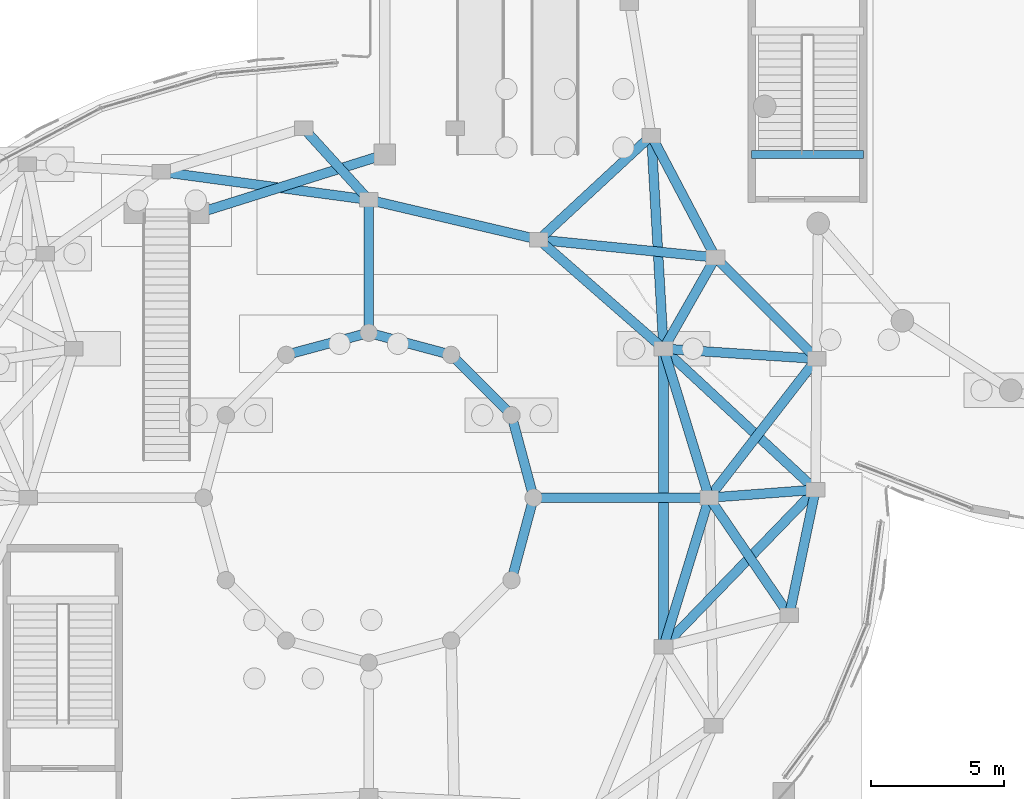
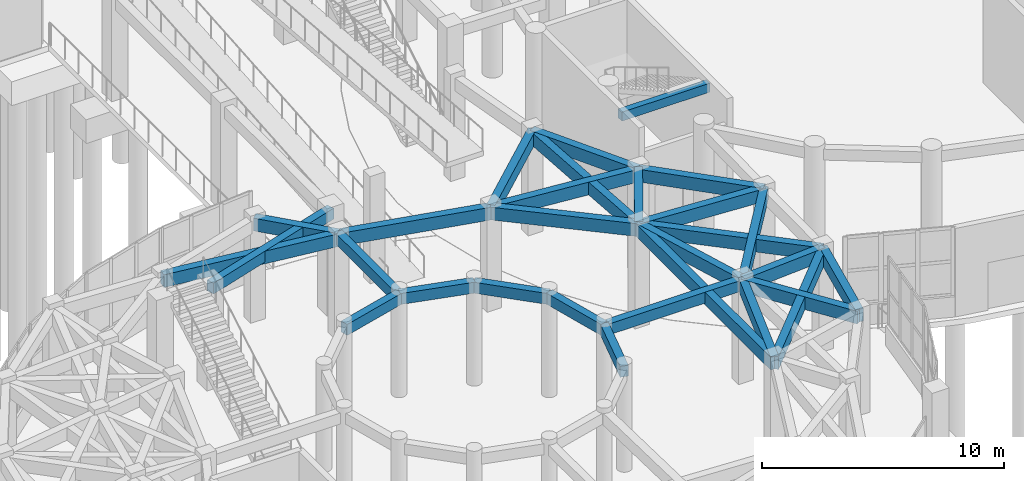
# One storey, part 19 of 96: 29 beams.
"""IFC4 building model written with IfcOpenShell, lengths in metres."""

from ifc_helpers import new_model, si_unit, direction, frame, origin, origin_2d, place, context, subcontext, project, spatial, rectangle, extrude, material, material_profile, profile_set, type_object, element, save


model = new_model("IFC4")

# Units and contexts
model_context = context("Model", 3, precision=1e-05, world=origin(), true_north=direction((0.0, 1.0)))
body_context = subcontext(model_context, "Body", "Model", "MODEL_VIEW")
ifc_project = project(units=[si_unit("LENGTHUNIT", "METRE"), si_unit("AREAUNIT", "SQUARE_METRE"), si_unit("VOLUMEUNIT", "CUBIC_METRE"), si_unit("PLANEANGLEUNIT", "RADIAN"), si_unit("MASSUNIT", "GRAM", prefix="KILO")], contexts=[model_context])

# Site, building, storey
site_placement = place(None, origin())
site = spatial("IfcSite", under=ifc_project, at=site_placement, CompositionType="ELEMENT")
building_placement = place(site_placement, origin())
building = spatial("IfcBuilding", under=site, at=building_placement, Name="Pelvatis Terrace Science Centre", CompositionType="ELEMENT")
storey_placement = place(building_placement, origin())
storey = spatial("IfcBuildingStorey", under=building, at=storey_placement, Name="L00", CompositionType="ELEMENT", Elevation=0.0)

# Beams
ifc_material_1 = material(Name="Concrete C35/45", Category="concrete")
ifc_material_profile_1 = material_profile(ifc_material_1, rectangle(XDim=0.300048828125, YDim=0.449951171875, at=origin_2d()), Name="RC-BM 300x450")
ifc_profile_set_1 = profile_set([ifc_material_profile_1], Name="Concrete C35/45")
beam_type_1 = type_object("IfcBeamType", Name="BM-RC-300x450", PredefinedType="BEAM", material=ifc_profile_set_1)
beam_1_placement = place(storey_placement, frame((61.199951171875, 48.0, 4.919921875), z_axis=(1.0, 0.0, 0.0), x_axis=(0.0, 1.0, 0.0)))
element("IfcBeam", 1, at=beam_1_placement, inside=storey, type_object=beam_type_1, Name="Stair ST-05 header beam (L00)", PredefinedType="BEAM", context=body_context, shape_type="SweptSolid", body=[
    extrude(rectangle(XDim=0.300048828125, YDim=0.449951171875, at=origin_2d()), origin(), (0.0, 0.0, 1.0), 4.199951171875),
])
ifc_material_2 = material(Name="Concrete C35/45", Category="concrete")
ifc_material_profile_2 = material_profile(ifc_material_2, rectangle(XDim=0.360107421875, YDim=0.550048828125, at=origin_2d()), Name="RC-BM 360x550")
ifc_profile_set_2 = profile_set([ifc_material_profile_2], Name="Concrete C35/45")
beam_type_2 = type_object("IfcBeamType", Name="BM-RC-360x550", PredefinedType="BEAM", material=ifc_profile_set_2)
beam_2_placement = place(storey_placement, frame((53.0, 35.10009765625, 4.864990234375), z_axis=(-0.258808334578, 0.965928696102, 0.0), x_axis=(-0.965928696102, -0.258808334578, 0.0)))
element("IfcBeam", 2, at=beam_2_placement, inside=storey, type_object=beam_type_2, Name="Beam BM-L00-2219", PredefinedType="BEAM", context=body_context, shape_type="SweptSolid", body=[
    extrude(rectangle(XDim=0.360107421875, YDim=0.550048828125, at=origin_2d()), origin(), (0.0, 0.0, 1.0), 3.209228515625),
])
beam_3_placement = place(storey_placement, frame((53.0, 35.10009765625, 4.864990234375), z_axis=(-0.258789317819, -0.9659337912, 0.0), x_axis=(0.9659337912, -0.258789317819, 0.0)))
element("IfcBeam", 3, at=beam_3_placement, inside=storey, type_object=beam_type_2, Name="Beam BM-L00-2220", PredefinedType="BEAM", context=body_context, shape_type="SweptSolid", body=[
    extrude(rectangle(XDim=0.360107421875, YDim=0.550048828125, at=origin_2d()), origin(), (0.0, 0.0, 1.0), 3.20947265625),
])
beam_4_placement = place(storey_placement, frame((53.0, 35.10009765625, 4.864990234375), z_axis=(1.0, 0.0, 0.0), x_axis=(0.0, 1.0, 0.0)))
element("IfcBeam", 4, at=beam_4_placement, inside=storey, type_object=beam_type_2, Name="Beam BM-L00-2221", PredefinedType="BEAM", context=body_context, shape_type="SweptSolid", body=[
    extrude(rectangle(XDim=0.360107421875, YDim=0.550048828125, at=origin_2d()), origin(), (0.0, 0.0, 1.0), 6.60009765625),
])
beam_5_placement = place(storey_placement, frame((52.16943359375, 38.199951171875, 4.864990234375), z_axis=(-0.707106781187, 0.707106781187, 0.0), x_axis=(-0.707106781187, -0.707106781187, 0.0)))
element("IfcBeam", 5, at=beam_5_placement, inside=storey, type_object=beam_type_2, Name="Beam BM-L00-2222", PredefinedType="BEAM", context=body_context, shape_type="SweptSolid", body=[
    extrude(rectangle(XDim=0.360107421875, YDim=0.550048828125, at=origin_2d()), origin(), (0.0, 0.0, 1.0), 3.209716796875),
])
beam_6_placement = place(storey_placement, frame((49.89990234375, 40.469482421875, 4.864990234375), z_axis=(-0.965928696102, 0.258808334578, 0.0), x_axis=(-0.258808334578, -0.965928696102, 0.0)))
element("IfcBeam", 6, at=beam_6_placement, inside=storey, type_object=beam_type_2, Name="Beam BM-L00-2223", PredefinedType="BEAM", context=body_context, shape_type="SweptSolid", body=[
    extrude(rectangle(XDim=0.360107421875, YDim=0.550048828125, at=origin_2d()), origin(), (0.0, 0.0, 1.0), 3.209228515625),
])
beam_7_placement = place(storey_placement, frame((46.800048828125, 41.300048828125, 4.864990234375), z_axis=(-0.9659337912, -0.258789317819, 0.0), x_axis=(0.258789317819, -0.9659337912, 0.0)))
element("IfcBeam", 7, at=beam_7_placement, inside=storey, type_object=beam_type_2, Name="Beam BM-L00-2224", PredefinedType="BEAM", context=body_context, shape_type="SweptSolid", body=[
    extrude(rectangle(XDim=0.360107421875, YDim=0.550048828125, at=origin_2d()), origin(), (0.0, 0.0, 1.0), 3.20947265625),
])
beam_8_placement = place(storey_placement, frame((46.800048828125, 41.300048828125, 4.864990234375), z_axis=(0.0, 1.0, 0.0), x_axis=(-1.0, 0.0, 0.0)))
element("IfcBeam", 8, at=beam_8_placement, inside=storey, type_object=beam_type_2, Name="Beam BM-L00-2225", PredefinedType="BEAM", context=body_context, shape_type="SweptSolid", body=[
    extrude(rectangle(XDim=0.360107421875, YDim=0.550048828125, at=origin_2d()), origin(), (0.0, 0.0, 1.0), 5.0),
])
beam_9_placement = place(storey_placement, frame((47.39990234375, 48.0, 4.864990234375), z_axis=(-0.9539956203, -0.299820540406, 0.0), x_axis=(0.299820540406, -0.9539956203, 0.0)))
element("IfcBeam", 9, at=beam_9_placement, inside=storey, type_object=beam_type_2, Name="Beam BM-L00-2527", PredefinedType="BEAM", context=body_context, shape_type="SweptSolid", body=[
    extrude(rectangle(XDim=0.360107421875, YDim=0.550048828125, at=origin_2d()), origin(), (0.0, 0.0, 1.0), 7.337646484375),
])
ifc_material_3 = material(Name="Concrete C35/45", Category="concrete")
ifc_material_profile_3 = material_profile(ifc_material_3, rectangle(XDim=0.360107421875, YDim=0.639892578125, at=origin_2d()), Name="RC-SPN 360x640")
ifc_profile_set_3 = profile_set([ifc_material_profile_3], Name="Concrete C35/45")
beam_type_3 = type_object("IfcBeamType", Name="SPN-RC-360x640", PredefinedType="SPANDREL", material=ifc_profile_set_3)
beam_10_placement = place(storey_placement, frame((57.42626953125, 48.71337890625, 4.820068359375), z_axis=(0.465765862299, -0.884907996075, 0.0), x_axis=(0.884907996075, 0.465765862299, 0.0)))
element("IfcBeam", 10, at=beam_10_placement, inside=storey, type_object=beam_type_3, Name="Spandrel SP-L00-2303", PredefinedType="SPANDREL", context=body_context, shape_type="SweptSolid", body=[
    extrude(rectangle(XDim=0.360107421875, YDim=0.639892578125, at=origin_2d()), origin(), (0.0, 0.0, 1.0), 5.1787109375),
])
beam_11_placement = place(storey_placement, frame((57.42626953125, 48.71337890625, 4.820068359375), z_axis=(0.057152870229, -0.998365438817, 0.0), x_axis=(0.998365438817, 0.057152870229, 0.0)))
element("IfcBeam", 11, at=beam_11_placement, inside=storey, type_object=beam_type_3, Name="Spandrel SP-L00-2304", PredefinedType="SPANDREL", context=body_context, shape_type="SweptSolid", body=[
    extrude(rectangle(XDim=0.360107421875, YDim=0.639892578125, at=origin_2d()), origin(), (0.0, 0.0, 1.0), 8.026611328125),
])
beam_12_placement = place(storey_placement, frame((57.42626953125, 48.71337890625, 4.820068359375), z_axis=(-0.733712152617, -0.679460430859, 0.0), x_axis=(0.679460430859, -0.733712152617, 0.0)))
element("IfcBeam", 12, at=beam_12_placement, inside=storey, type_object=beam_type_3, Name="Spandrel SP-L00-2305", PredefinedType="SPANDREL", context=body_context, shape_type="SweptSolid", body=[
    extrude(rectangle(XDim=0.360107421875, YDim=0.639892578125, at=origin_2d()), origin(), (0.0, 0.0, 1.0), 5.76025390625),
])
beam_13_placement = place(storey_placement, frame((59.83837890625, 44.130615234375, 4.820068359375), z_axis=(0.706652925883, -0.707560345371, 0.0), x_axis=(0.707560345371, 0.706652925883, 0.0)))
element("IfcBeam", 13, at=beam_13_placement, inside=storey, type_object=beam_type_3, Name="Spandrel SP-L00-2306", PredefinedType="SPANDREL", context=body_context, shape_type="SweptSolid", body=[
    extrude(rectangle(XDim=0.360107421875, YDim=0.639892578125, at=origin_2d()), origin(), (0.0, 0.0, 1.0), 5.381103515625),
])
beam_14_placement = place(storey_placement, frame((59.83837890625, 44.130615234375, 4.820068359375), z_axis=(-0.49479970219, -0.869007051015, 0.0), x_axis=(0.869007051015, -0.49479970219, 0.0)))
element("IfcBeam", 14, at=beam_14_placement, inside=storey, type_object=beam_type_3, Name="Spandrel SP-L00-2307", PredefinedType="SPANDREL", context=body_context, shape_type="SweptSolid", body=[
    extrude(rectangle(XDim=0.360107421875, YDim=0.639892578125, at=origin_2d()), origin(), (0.0, 0.0, 1.0), 3.94775390625),
])
beam_15_placement = place(storey_placement, frame((59.83837890625, 44.130615234375, 4.820068359375), z_axis=(-0.994961182936, 0.100260881955, 0.0), x_axis=(-0.100260881955, -0.994961182936, 0.0)))
element("IfcBeam", 15, at=beam_15_placement, inside=storey, type_object=beam_type_3, Name="Spandrel SP-L00-2308", PredefinedType="SPANDREL", context=body_context, shape_type="SweptSolid", body=[
    extrude(rectangle(XDim=0.360107421875, YDim=0.639892578125, at=origin_2d()), origin(), (0.0, 0.0, 1.0), 6.672119140625),
])
beam_16_placement = place(storey_placement, frame((63.640869140625, 40.3232421875, 4.820068359375), z_axis=(-0.611893533113, -0.790940139413, 0.0), x_axis=(0.790940139413, -0.611893533113, 0.0)))
element("IfcBeam", 16, at=beam_16_placement, inside=storey, type_object=beam_type_3, Name="Spandrel SP-L00-2310", PredefinedType="SPANDREL", context=body_context, shape_type="SweptSolid", body=[
    extrude(rectangle(XDim=0.360107421875, YDim=0.639892578125, at=origin_2d()), origin(), (0.0, 0.0, 1.0), 6.603759765625),
])
beam_17_placement = place(storey_placement, frame((63.640869140625, 40.3232421875, 4.820068359375), z_axis=(-0.997865141278, 0.065308191084, 0.0), x_axis=(-0.065308191084, -0.997865141278, 0.0)))
element("IfcBeam", 17, at=beam_17_placement, inside=storey, type_object=beam_type_3, Name="Spandrel SP-L00-2311", PredefinedType="SPANDREL", context=body_context, shape_type="SweptSolid", body=[
    extrude(rectangle(XDim=0.360107421875, YDim=0.639892578125, at=origin_2d()), origin(), (0.0, 0.0, 1.0), 5.76806640625),
])
beam_18_placement = place(storey_placement, frame((63.60009765625, 35.39990234375, 4.820068359375), z_axis=(-0.205094384984, -0.978742199585, 0.0), x_axis=(0.978742199585, -0.205094384984, 0.0)))
element("IfcBeam", 18, at=beam_18_placement, inside=storey, type_object=beam_type_3, Name="Spandrel SP-L00-2312", PredefinedType="SPANDREL", context=body_context, shape_type="SweptSolid", body=[
    extrude(rectangle(XDim=0.360107421875, YDim=0.639892578125, at=origin_2d()), origin(), (0.0, 0.0, 1.0), 4.822265625),
])
beam_19_placement = place(storey_placement, frame((63.60009765625, 35.39990234375, 4.820068359375), z_axis=(-0.997202940152, -0.074741528962, 0.0), x_axis=(0.074741528962, -0.997202940152, 0.0)))
element("IfcBeam", 19, at=beam_19_placement, inside=storey, type_object=beam_type_3, Name="Spandrel SP-L00-2313", PredefinedType="SPANDREL", context=body_context, shape_type="SweptSolid", body=[
    extrude(rectangle(XDim=0.360107421875, YDim=0.639892578125, at=origin_2d()), origin(), (0.0, 0.0, 1.0), 4.01123046875),
])
beam_20_placement = place(storey_placement, frame((63.60009765625, 35.39990234375, 4.820068359375), z_axis=(-0.73322953973, 0.679981207143, 0.0), x_axis=(-0.679981207143, -0.73322953973, 0.0)))
element("IfcBeam", 20, at=beam_20_placement, inside=storey, type_object=beam_type_3, Name="Spandrel SP-L00-2314", PredefinedType="SPANDREL", context=body_context, shape_type="SweptSolid", body=[
    extrude(rectangle(XDim=0.360107421875, YDim=0.639892578125, at=origin_2d()), origin(), (0.0, 0.0, 1.0), 7.79443359375),
])
beam_21_placement = place(storey_placement, frame((63.60009765625, 35.39990234375, 4.820068359375), z_axis=(-0.695767424657, -0.718267144443, 0.0), x_axis=(0.718267144443, -0.695767424657, 0.0)))
element("IfcBeam", 21, at=beam_21_placement, inside=storey, type_object=beam_type_3, Name="Spandrel SP-L00-2315", PredefinedType="SPANDREL", context=body_context, shape_type="SweptSolid", body=[
    extrude(rectangle(XDim=0.360107421875, YDim=0.639892578125, at=origin_2d()), origin(), (0.0, 0.0, 1.0), 8.214111328125),
])
beam_22_placement = place(storey_placement, frame((44.352294921875, 48.990234375, 4.820068359375), z_axis=(0.672993472034, -0.73964842094, 0.0), x_axis=(0.73964842094, 0.672993472034, 0.0)))
element("IfcBeam", 22, at=beam_22_placement, inside=storey, type_object=beam_type_3, Name="Spandrel SP-L00-2317", PredefinedType="SPANDREL", context=body_context, shape_type="SweptSolid", body=[
    extrude(rectangle(XDim=0.360107421875, YDim=0.639892578125, at=origin_2d()), origin(), (0.0, 0.0, 1.0), 3.63720703125),
])
beam_23_placement = place(storey_placement, frame((39.0, 47.351318359375, 4.820068359375), z_axis=(0.991039432393, -0.133569620204, 0.0), x_axis=(0.133569620204, 0.991039432393, 0.0)))
element("IfcBeam", 23, at=beam_23_placement, inside=storey, type_object=beam_type_3, Name="Spandrel SP-L00-2320", PredefinedType="SPANDREL", context=body_context, shape_type="SweptSolid", body=[
    extrude(rectangle(XDim=0.360107421875, YDim=0.639892578125, at=origin_2d()), origin(), (0.0, 0.0, 1.0), 7.87060546875),
])
beam_24_placement = place(storey_placement, frame((62.611083984375, 30.68017578125, 4.820068359375), z_axis=(-0.563005315538, 0.826453274345, 0.0), x_axis=(-0.826453274345, -0.563005315538, 0.0)))
element("IfcBeam", 24, at=beam_24_placement, inside=storey, type_object=beam_type_3, Name="Spandrel SP-L00-2367", PredefinedType="SPANDREL", context=body_context, shape_type="SweptSolid", body=[
    extrude(rectangle(XDim=0.360107421875, YDim=0.639892578125, at=origin_2d()), origin(), (0.0, 0.0, 1.0), 5.34814453125),
])
beam_25_placement = place(storey_placement, frame((59.60009765625, 35.10009765625, 4.820068359375), z_axis=(-0.292846503557, 0.956159466488, 0.0), x_axis=(-0.956159466488, -0.292846503557, 0.0)))
element("IfcBeam", 25, at=beam_25_placement, inside=storey, type_object=beam_type_3, Name="Spandrel SP-L00-2388", PredefinedType="SPANDREL", context=body_context, shape_type="SweptSolid", body=[
    extrude(rectangle(XDim=0.360107421875, YDim=0.639892578125, at=origin_2d()), origin(), (0.0, 0.0, 1.0), 5.856689453125),
])
beam_26_placement = place(storey_placement, frame((59.60009765625, 35.10009765625, 4.820068359375), z_axis=(-0.292834831495, -0.956163041256, 0.0), x_axis=(0.956163041256, -0.292834831495, 0.0)))
element("IfcBeam", 26, at=beam_26_placement, inside=storey, type_object=beam_type_3, Name="Spandrel SP-L00-2389", PredefinedType="SPANDREL", context=body_context, shape_type="SweptSolid", body=[
    extrude(rectangle(XDim=0.360107421875, YDim=0.639892578125, at=origin_2d()), origin(), (0.0, 0.0, 1.0), 5.85693359375),
])
beam_27_placement = place(storey_placement, frame((57.885009765625, 40.699951171875, 4.820068359375), z_axis=(-0.752562118527, 0.658521265988, 0.0), x_axis=(-0.658521265988, -0.752562118527, 0.0)))
element("IfcBeam", 27, at=beam_27_placement, inside=storey, type_object=beam_type_3, Name="Spandrel SP-L00-2390", PredefinedType="SPANDREL", context=body_context, shape_type="SweptSolid", body=[
    extrude(rectangle(XDim=0.360107421875, YDim=0.639892578125, at=origin_2d()), origin(), (0.0, 0.0, 1.0), 6.2255859375),
])
beam_28_placement = place(storey_placement, frame((57.885009765625, 40.699951171875, 4.820068359375), z_axis=(0.0, -1.0, 0.0), x_axis=(1.0, 0.0, 0.0)))
element("IfcBeam", 28, at=beam_28_placement, inside=storey, type_object=beam_type_3, Name="Spandrel SP-L00-2391", PredefinedType="SPANDREL", context=body_context, shape_type="SweptSolid", body=[
    extrude(rectangle(XDim=0.360107421875, YDim=0.639892578125, at=origin_2d()), origin(), (0.0, 0.0, 1.0), 11.199951171875),
])
beam_29_placement = place(storey_placement, frame((53.199951171875, 44.799560546875, 4.820068359375), z_axis=(-0.973599031163, 0.228265035688, 0.0), x_axis=(-0.228265035688, -0.973599031163, 0.0)))
element("IfcBeam", 29, at=beam_29_placement, inside=storey, type_object=beam_type_3, Name="Spandrel SP-L00-2392", PredefinedType="SPANDREL", context=body_context, shape_type="SweptSolid", body=[
    extrude(rectangle(XDim=0.360107421875, YDim=0.639892578125, at=origin_2d()), origin(), (0.0, 0.0, 1.0), 6.573486328125),
])

save(model, "model.ifc")
